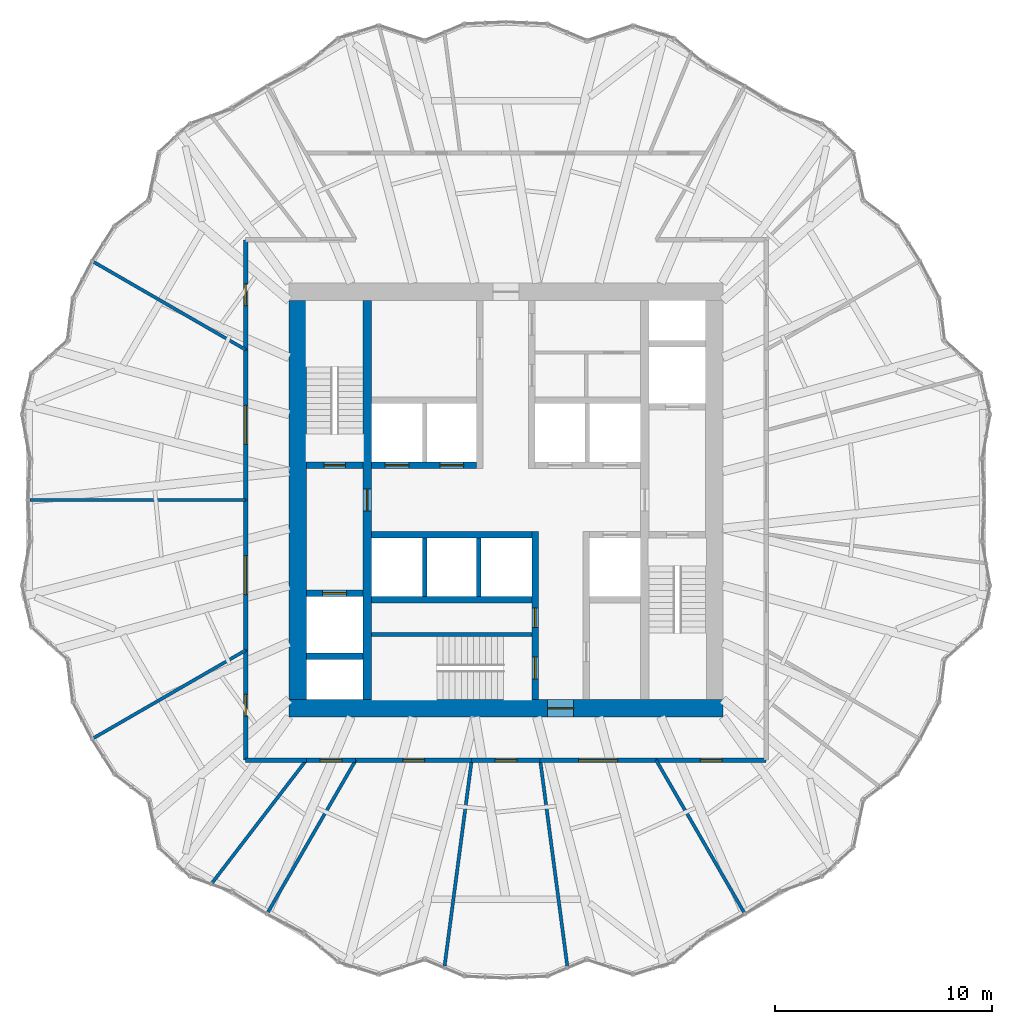
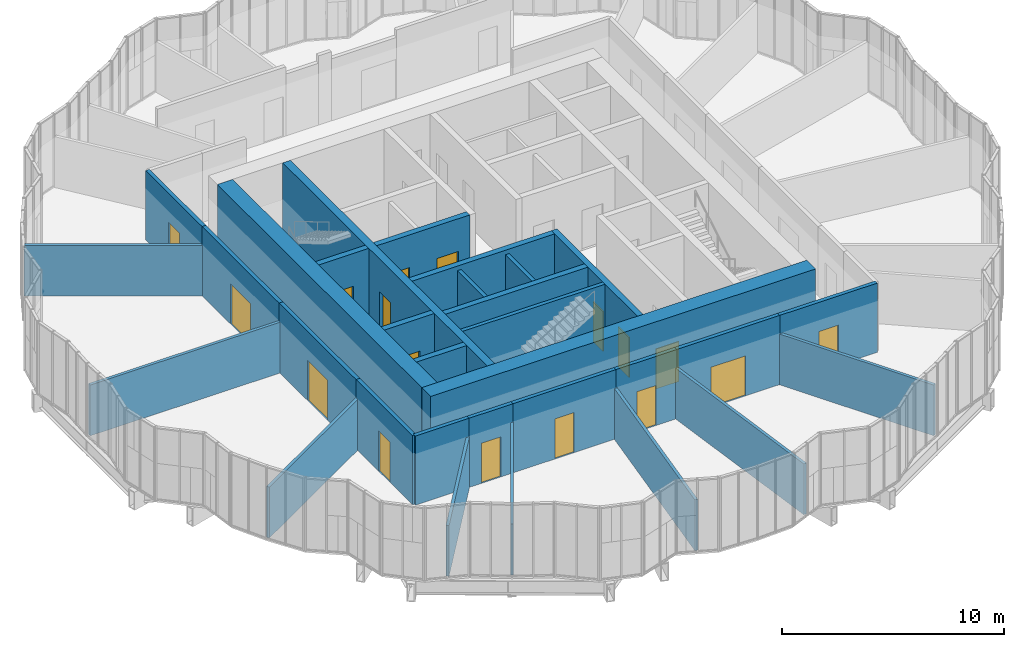
# One storey, part 20 of 23: 31 walls, 17 doors, 17 openings.
"""IFC4 building model written with IfcOpenShell, lengths in metres."""

from ifc_helpers import new_model, si_unit, direction, frame, frame_2d, origin, place, context, subcontext, project, spatial, rectangle, extrude, material, layer, layer_set, type_object, element, fill, save


model = new_model("IFC4")

# Units and contexts
model_context = context("Model", 3, precision=1e-05, world=origin(), true_north=direction((0.0, 1.0)))
body_context = subcontext(model_context, "Body", "Model", "MODEL_VIEW")
ifc_project = project(units=[si_unit("LENGTHUNIT", "METRE"), si_unit("AREAUNIT", "SQUARE_METRE"), si_unit("VOLUMEUNIT", "CUBIC_METRE"), si_unit("PLANEANGLEUNIT", "RADIAN"), si_unit("MASSUNIT", "GRAM", prefix="KILO")], contexts=[model_context])

# Site, building, storey
site_placement = place(None, origin())
site = spatial("IfcSite", under=ifc_project, at=site_placement, CompositionType="ELEMENT")
building_placement = place(site_placement, origin())
building = spatial("IfcBuilding", under=site, at=building_placement, Name="Golbaran Civic Tower", CompositionType="ELEMENT")
storey_placement = place(building_placement, frame((0.0, 0.0, 33.0)))
storey = spatial("IfcBuildingStorey", under=building, at=storey_placement, Name="L07", CompositionType="ELEMENT", Elevation=33.0)

# Wall, opening, door
ifc_material_1 = material(Name="Concrete C50/60", Category="concrete")
ifc_layer_1 = layer(ifc_material_1, 0.39990234375, Name="Concrete C50/60")
ifc_layer_set_1 = layer_set([ifc_layer_1], Name="Concrete C50/60")
wall_type_1 = type_object("IfcWallType", Name="CORE WALL CONCRETE 400", PredefinedType="SOLIDWALL", material=ifc_layer_set_1)
wall_1_placement = place(storey_placement, frame((-6.39990234375, -9.199951171875, 0.0), z_axis=(0.0, 0.0, 1.0), x_axis=(0.0, 1.0, 0.0)))
wall_1 = element("IfcWall", 1, at=wall_1_placement, inside=storey, type_object=wall_type_1, Name="Core wall IW L07", PredefinedType="SOLIDWALL", context=body_context, shape_type="SweptSolid", body=[
    extrude(rectangle(XDim=18.39990234375, YDim=0.39990234375, at=frame_2d((9.199951171875, 0.0))), origin(), (0.0, 0.0, 1.0), 4.0),
])
opening_1_placement = place(wall_1_placement, frame((8.699951171875, 0.0, 0.0)))
opening_1 = element("IfcOpeningElement", 2, at=opening_1_placement, cuts=wall_1, Name="Opening L07.FL1", PredefinedType="OPENING", context=body_context, shape_type="SweptSolid", body=[
    extrude(rectangle(XDim=1.0, YDim=2.199951171875, at=frame_2d((0.5, 1.10009765625))), frame((0.0, 0.2099609375, 0.0), z_axis=(0.0, -1.0, 0.0), x_axis=(1.0, 0.0, 0.0)), (0.0, 0.0, 1.0), 0.419921875),
])
ifc_material_2 = material(Name="Timber door set in steel frame", Category="steel")
door_type_1 = type_object("IfcDoorType", Name="STAIR DOOR 1000x2200", OperationType="SINGLE_SWING_LEFT", PredefinedType="DOOR", material=ifc_material_2)
door_1_placement = place(opening_1_placement, origin())
door_1 = element("IfcDoor", 3, at=door_1_placement, inside=storey, type_object=door_type_1, Name="Fire-fighting lobby FL1 door", OperationType="SINGLE_SWING_LEFT", OverallHeight=2.199951171875, OverallWidth=1.0, PredefinedType="DOOR", context=body_context, shape_type="SweptSolid", body=[
    extrude(rectangle(XDim=1.0, YDim=2.199951171875, at=frame_2d((0.5, 1.10009765625))), frame((0.0, 0.02490234375, 0.0), z_axis=(0.0, -1.0, 0.0), x_axis=(1.0, 0.0, 0.0)), (0.0, 0.0, 1.0), 0.050048828125),
])
fill(opening_1, door_1)

ifc_layer_2 = layer(ifc_material_1, 0.800048828125, Name="Concrete C50/60")
ifc_layer_set_2 = layer_set([ifc_layer_2], Name="Concrete C50/60")
wall_type_2 = type_object("IfcWallType", Name="CORE WALL CONCRETE 800", PredefinedType="SOLIDWALL", material=ifc_layer_set_2)
wall_2_placement = place(storey_placement, frame((10.0, -9.60009765625, 0.0), z_axis=(0.0, 0.0, 1.0), x_axis=(-1.0, 0.0, 0.0)))
wall_2 = element("IfcWall", 4, at=wall_2_placement, inside=storey, type_object=wall_type_2, Name="Core wall CS L07", PredefinedType="SOLIDWALL", context=body_context, shape_type="SweptSolid", body=[
    extrude(rectangle(XDim=20.0, YDim=0.800048828125, at=frame_2d((10.0, 0.0))), origin(), (0.0, 0.0, 1.0), 4.0),
])
opening_2_placement = place(wall_2_placement, frame((6.875, 0.0, 0.0)))
opening_2 = element("IfcOpeningElement", 5, at=opening_2_placement, cuts=wall_2, Name="Opening L07.CS", PredefinedType="OPENING", context=body_context, shape_type="SweptSolid", body=[
    extrude(rectangle(XDim=1.199951171875, YDim=2.199951171875, at=frame_2d((0.60009765625, 1.10009765625))), frame((0.0, 0.409912109375, 0.0), z_axis=(0.0, -1.0, 0.0), x_axis=(1.0, 0.0, 0.0)), (0.0, 0.0, 1.0), 0.820068359375),
])
door_type_2 = type_object("IfcDoorType", Name="CORE DOOR 1200x2200", OperationType="DOUBLE_DOOR_SINGLE_SWING", PredefinedType="DOOR", material=ifc_material_2)
door_2_placement = place(opening_2_placement, origin())
door_2 = element("IfcDoor", 6, at=door_2_placement, inside=storey, type_object=door_type_2, Name="Core door south", OperationType="DOUBLE_DOOR_SINGLE_SWING", OverallHeight=2.199951171875, OverallWidth=1.199951171875, PredefinedType="DOOR", context=body_context, shape_type="SweptSolid", body=[
    extrude(rectangle(XDim=1.199951171875, YDim=2.199951171875, at=frame_2d((0.60009765625, 1.10009765625))), frame((0.0, 0.02490234375, 0.0), z_axis=(0.0, -1.0, 0.0), x_axis=(1.0, 0.0, 0.0)), (0.0, 0.0, 1.0), 0.050048828125),
])
fill(opening_2, door_2)

# Wall
wall_3_placement = place(storey_placement, frame((-9.60009765625, 9.199951171875, 0.0), z_axis=(0.0, 0.0, 1.0), x_axis=(0.0, -1.0, 0.0)))
element("IfcWall", 7, at=wall_3_placement, inside=storey, type_object=wall_type_2, Name="Core wall CW L07", PredefinedType="SOLIDWALL", context=body_context, shape_type="SweptSolid", body=[
    extrude(rectangle(XDim=18.39990234375, YDim=0.800048828125, at=frame_2d((9.199951171875, 0.0))), origin(), (0.0, 0.0, 1.0), 4.0),
])

# Wall, opening, door
ifc_material_3 = material(Name="Gypsum board on steel studs, fire-rated", Category="steel")
ifc_layer_3 = layer(ifc_material_3, 0.199951171875, Name="Gypsum board on steel studs, fire-rated")
ifc_layer_set_3 = layer_set([ifc_layer_3], Name="Gypsum board on steel studs, fire-rated")
wall_type_3 = type_object("IfcWallType", Name="CORRIDOR WALL 200", PredefinedType="PARTITIONING", material=ifc_layer_set_3)
wall_4_placement = place(storey_placement, frame((-12.0, 12.0, 0.0), z_axis=(0.0, 0.0, 1.0), x_axis=(0.0, -1.0, 0.0)))
wall_4 = element("IfcWall", 8, at=wall_4_placement, inside=storey, type_object=wall_type_3, Name="Corridor wall L07", PredefinedType="PARTITIONING", context=body_context, shape_type="SweptSolid", body=[
    extrude(rectangle(XDim=5.07177734375, YDim=0.199951171875, at=frame_2d((2.535888671875, 0.0))), origin(), (0.0, 0.0, 1.0), 3.800048828125),
])
opening_3_placement = place(wall_4_placement, frame((2.035888671875, 0.0, 0.0)))
opening_3 = element("IfcOpeningElement", 9, at=opening_3_placement, cuts=wall_4, Name="Opening L07.11", PredefinedType="OPENING", context=body_context, shape_type="SweptSolid", body=[
    extrude(rectangle(XDim=1.0, YDim=2.199951171875, at=frame_2d((0.5, 1.10009765625))), frame((0.0, 0.10986328125, 0.0), z_axis=(0.0, -1.0, 0.0), x_axis=(1.0, 0.0, 0.0)), (0.0, 0.0, 1.0), 0.219970703125),
])
door_type_3 = type_object("IfcDoorType", Name="OFFICE DOOR 1000x2200", OperationType="SINGLE_SWING_LEFT", PredefinedType="DOOR", material=ifc_material_2)
door_3_placement = place(opening_3_placement, origin())
door_3 = element("IfcDoor", 10, at=door_3_placement, inside=storey, type_object=door_type_3, Name="Print and Copy Room door L07", OperationType="SINGLE_SWING_RIGHT", OverallHeight=2.199951171875, OverallWidth=1.0, PredefinedType="DOOR", context=body_context, shape_type="SweptSolid", body=[
    extrude(rectangle(XDim=1.0, YDim=2.199951171875, at=frame_2d((0.5, 1.10009765625))), frame((0.0, 0.02490234375, 0.0), z_axis=(0.0, -1.0, 0.0), x_axis=(1.0, 0.0, 0.0)), (0.0, 0.0, 1.0), 0.050048828125),
])
fill(opening_3, door_3)

wall_5_placement = place(storey_placement, frame((-12.0, 6.92822265625, 0.0), z_axis=(0.0, 0.0, 1.0), x_axis=(0.0, -1.0, 0.0)))
wall_5 = element("IfcWall", 11, at=wall_5_placement, inside=storey, type_object=wall_type_3, Name="Corridor wall L07", PredefinedType="PARTITIONING", context=body_context, shape_type="SweptSolid", body=[
    extrude(rectangle(XDim=6.92822265625, YDim=0.199951171875, at=frame_2d((3.464111328125, 0.0))), origin(), (0.0, 0.0, 1.0), 3.800048828125),
])
opening_4_placement = place(wall_5_placement, frame((2.564208984375, 0.0, 0.0)))
opening_4 = element("IfcOpeningElement", 12, at=opening_4_placement, cuts=wall_5, Name="Opening L07.12", PredefinedType="OPENING", context=body_context, shape_type="SweptSolid", body=[
    extrude(rectangle(XDim=1.800048828125, YDim=2.199951171875, at=frame_2d((0.89990234375, 1.10009765625))), frame((0.0, 0.10986328125, 0.0), z_axis=(0.0, -1.0, 0.0), x_axis=(1.0, 0.0, 0.0)), (0.0, 0.0, 1.0), 0.219970703125),
])
door_type_4 = type_object("IfcDoorType", Name="OFFICE DOUBLE DOOR 1800x2200", OperationType="DOUBLE_DOOR_SINGLE_SWING", PredefinedType="DOOR", material=ifc_material_2)
door_4_placement = place(opening_4_placement, origin())
door_4 = element("IfcDoor", 13, at=door_4_placement, inside=storey, type_object=door_type_4, Name="Registry Office door L07", OperationType="DOUBLE_DOOR_SINGLE_SWING", OverallHeight=2.199951171875, OverallWidth=1.800048828125, PredefinedType="DOOR", context=body_context, shape_type="SweptSolid", body=[
    extrude(rectangle(XDim=1.800048828125, YDim=2.199951171875, at=frame_2d((0.89990234375, 1.10009765625))), frame((0.0, 0.02490234375, 0.0), z_axis=(0.0, -1.0, 0.0), x_axis=(1.0, 0.0, 0.0)), (0.0, 0.0, 1.0), 0.050048828125),
])
fill(opening_4, door_4)

wall_6_placement = place(storey_placement, frame((-12.0, 0.0, 0.0), z_axis=(0.0, 0.0, 1.0), x_axis=(0.0, -1.0, 0.0)))
wall_6 = element("IfcWall", 14, at=wall_6_placement, inside=storey, type_object=wall_type_3, Name="Corridor wall L07", PredefinedType="PARTITIONING", context=body_context, shape_type="SweptSolid", body=[
    extrude(rectangle(XDim=6.92822265625, YDim=0.199951171875, at=frame_2d((3.464111328125, 0.0))), origin(), (0.0, 0.0, 1.0), 3.800048828125),
])
opening_5_placement = place(wall_6_placement, frame((2.564208984375, 0.0, 0.0)))
opening_5 = element("IfcOpeningElement", 15, at=opening_5_placement, cuts=wall_6, Name="Opening L07.13", PredefinedType="OPENING", context=body_context, shape_type="SweptSolid", body=[
    extrude(rectangle(XDim=1.800048828125, YDim=2.199951171875, at=frame_2d((0.89990234375, 1.10009765625))), frame((0.0, 0.10986328125, 0.0), z_axis=(0.0, -1.0, 0.0), x_axis=(1.0, 0.0, 0.0)), (0.0, 0.0, 1.0), 0.219970703125),
])
door_5_placement = place(opening_5_placement, origin())
door_5 = element("IfcDoor", 16, at=door_5_placement, inside=storey, type_object=door_type_4, Name="Registry Office door L07", OperationType="DOUBLE_DOOR_SINGLE_SWING", OverallHeight=2.199951171875, OverallWidth=1.800048828125, PredefinedType="DOOR", context=body_context, shape_type="SweptSolid", body=[
    extrude(rectangle(XDim=1.800048828125, YDim=2.199951171875, at=frame_2d((0.89990234375, 1.10009765625))), frame((0.0, 0.02490234375, 0.0), z_axis=(0.0, -1.0, 0.0), x_axis=(1.0, 0.0, 0.0)), (0.0, 0.0, 1.0), 0.050048828125),
])
fill(opening_5, door_5)

wall_7_placement = place(storey_placement, frame((-12.0, -6.92822265625, 0.0), z_axis=(0.0, 0.0, 1.0), x_axis=(0.0, -1.0, 0.0)))
wall_7 = element("IfcWall", 17, at=wall_7_placement, inside=storey, type_object=wall_type_3, Name="Corridor wall L07", PredefinedType="PARTITIONING", context=body_context, shape_type="SweptSolid", body=[
    extrude(rectangle(XDim=5.07177734375, YDim=0.199951171875, at=frame_2d((2.535888671875, 0.0))), origin(), (0.0, 0.0, 1.0), 3.800048828125),
])
opening_6_placement = place(wall_7_placement, frame((2.035888671875, 0.0, 0.0)))
opening_6 = element("IfcOpeningElement", 18, at=opening_6_placement, cuts=wall_7, Name="Opening L07.14", PredefinedType="OPENING", context=body_context, shape_type="SweptSolid", body=[
    extrude(rectangle(XDim=1.0, YDim=2.199951171875, at=frame_2d((0.5, 1.10009765625))), frame((0.0, 0.10986328125, 0.0), z_axis=(0.0, -1.0, 0.0), x_axis=(1.0, 0.0, 0.0)), (0.0, 0.0, 1.0), 0.219970703125),
])
door_6_placement = place(opening_6_placement, origin())
door_6 = element("IfcDoor", 19, at=door_6_placement, inside=storey, type_object=door_type_3, Name="File Room door L07", OperationType="SINGLE_SWING_RIGHT", OverallHeight=2.199951171875, OverallWidth=1.0, PredefinedType="DOOR", context=body_context, shape_type="SweptSolid", body=[
    extrude(rectangle(XDim=1.0, YDim=2.199951171875, at=frame_2d((0.5, 1.10009765625))), frame((0.0, 0.02490234375, 0.0), z_axis=(0.0, -1.0, 0.0), x_axis=(1.0, 0.0, 0.0)), (0.0, 0.0, 1.0), 0.050048828125),
])
fill(opening_6, door_6)

# Wall
wall_8_placement = place(storey_placement, frame((-12.0, -12.0, 0.0), z_axis=(0.0, 0.0, 1.0), x_axis=(1.0, 0.0, 0.0)))
element("IfcWall", 20, at=wall_8_placement, inside=storey, type_object=wall_type_3, Name="Corridor wall L07", PredefinedType="PARTITIONING", context=body_context, shape_type="SweptSolid", body=[
    extrude(rectangle(XDim=2.7919921875, YDim=0.199951171875, at=frame_2d((1.39599609375, 0.0))), origin(), (0.0, 0.0, 1.0), 3.800048828125),
])

# Wall, opening, door
wall_9_placement = place(storey_placement, frame((-9.2080078125, -12.0, 0.0), z_axis=(0.0, 0.0, 1.0), x_axis=(1.0, 0.0, 0.0)))
wall_9 = element("IfcWall", 21, at=wall_9_placement, inside=storey, type_object=wall_type_3, Name="Corridor wall L07", PredefinedType="PARTITIONING", context=body_context, shape_type="SweptSolid", body=[
    extrude(rectangle(XDim=2.27978515625, YDim=0.199951171875, at=frame_2d((1.139892578125, 0.0))), origin(), (0.0, 0.0, 1.0), 3.800048828125),
])
opening_7_placement = place(wall_9_placement, frame((0.639892578125, 0.0, 0.0)))
opening_7 = element("IfcOpeningElement", 22, at=opening_7_placement, cuts=wall_9, Name="Opening L07.15", PredefinedType="OPENING", context=body_context, shape_type="SweptSolid", body=[
    extrude(rectangle(XDim=1.0, YDim=2.199951171875, at=frame_2d((0.5, 1.10009765625))), frame((0.0, 0.10986328125, 0.0), z_axis=(0.0, -1.0, 0.0), x_axis=(1.0, 0.0, 0.0)), (0.0, 0.0, 1.0), 0.219970703125),
])
door_7_placement = place(opening_7_placement, origin())
door_7 = element("IfcDoor", 23, at=door_7_placement, inside=storey, type_object=door_type_3, Name="Store door L07", OperationType="SINGLE_SWING_LEFT", OverallHeight=2.199951171875, OverallWidth=1.0, PredefinedType="DOOR", context=body_context, shape_type="SweptSolid", body=[
    extrude(rectangle(XDim=1.0, YDim=2.199951171875, at=frame_2d((0.5, 1.10009765625))), frame((0.0, 0.02490234375, 0.0), z_axis=(0.0, -1.0, 0.0), x_axis=(1.0, 0.0, 0.0)), (0.0, 0.0, 1.0), 0.050048828125),
])
fill(opening_7, door_7)

wall_10_placement = place(storey_placement, frame((-6.92822265625, -12.0, 0.0), z_axis=(0.0, 0.0, 1.0), x_axis=(1.0, 0.0, 0.0)))
wall_10 = element("IfcWall", 24, at=wall_10_placement, inside=storey, type_object=wall_type_3, Name="Corridor wall L07", PredefinedType="PARTITIONING", context=body_context, shape_type="SweptSolid", body=[
    extrude(rectangle(XDim=5.348388671875, YDim=0.199951171875, at=frame_2d((2.67431640625, 0.0))), origin(), (0.0, 0.0, 1.0), 3.800048828125),
])
opening_8_placement = place(wall_10_placement, frame((2.174072265625, 0.0, 0.0)))
opening_8 = element("IfcOpeningElement", 25, at=opening_8_placement, cuts=wall_10, Name="Opening L07.16", PredefinedType="OPENING", context=body_context, shape_type="SweptSolid", body=[
    extrude(rectangle(XDim=1.0, YDim=2.199951171875, at=frame_2d((0.5, 1.10009765625))), frame((0.0, 0.10986328125, 0.0), z_axis=(0.0, -1.0, 0.0), x_axis=(1.0, 0.0, 0.0)), (0.0, 0.0, 1.0), 0.219970703125),
])
door_8_placement = place(opening_8_placement, origin())
door_8 = element("IfcDoor", 26, at=door_8_placement, inside=storey, type_object=door_type_3, Name="Project Room door L07", OperationType="SINGLE_SWING_LEFT", OverallHeight=2.199951171875, OverallWidth=1.0, PredefinedType="DOOR", context=body_context, shape_type="SweptSolid", body=[
    extrude(rectangle(XDim=1.0, YDim=2.199951171875, at=frame_2d((0.5, 1.10009765625))), frame((0.0, 0.02490234375, 0.0), z_axis=(0.0, -1.0, 0.0), x_axis=(1.0, 0.0, 0.0)), (0.0, 0.0, 1.0), 0.050048828125),
])
fill(opening_8, door_8)

wall_11_placement = place(storey_placement, frame((-1.579833984375, -12.0, 0.0), z_axis=(0.0, 0.0, 1.0), x_axis=(1.0, 0.0, 0.0)))
wall_11 = element("IfcWall", 27, at=wall_11_placement, inside=storey, type_object=wall_type_3, Name="Corridor wall L07", PredefinedType="PARTITIONING", context=body_context, shape_type="SweptSolid", body=[
    extrude(rectangle(XDim=3.15966796875, YDim=0.199951171875, at=frame_2d((1.579833984375, 0.0))), origin(), (0.0, 0.0, 1.0), 3.800048828125),
])
opening_9_placement = place(wall_11_placement, frame((1.079833984375, 0.0, 0.0)))
opening_9 = element("IfcOpeningElement", 28, at=opening_9_placement, cuts=wall_11, Name="Opening L07.17", PredefinedType="OPENING", context=body_context, shape_type="SweptSolid", body=[
    extrude(rectangle(XDim=1.0, YDim=2.199951171875, at=frame_2d((0.5, 1.10009765625))), frame((0.0, 0.10986328125, 0.0), z_axis=(0.0, -1.0, 0.0), x_axis=(1.0, 0.0, 0.0)), (0.0, 0.0, 1.0), 0.219970703125),
])
door_9_placement = place(opening_9_placement, origin())
door_9 = element("IfcDoor", 29, at=door_9_placement, inside=storey, type_object=door_type_3, Name="Project Room door L07", OperationType="SINGLE_SWING_LEFT", OverallHeight=2.199951171875, OverallWidth=1.0, PredefinedType="DOOR", context=body_context, shape_type="SweptSolid", body=[
    extrude(rectangle(XDim=1.0, YDim=2.199951171875, at=frame_2d((0.5, 1.10009765625))), frame((0.0, 0.02490234375, 0.0), z_axis=(0.0, -1.0, 0.0), x_axis=(1.0, 0.0, 0.0)), (0.0, 0.0, 1.0), 0.050048828125),
])
fill(opening_9, door_9)

wall_12_placement = place(storey_placement, frame((1.579833984375, -12.0, 0.0), z_axis=(0.0, 0.0, 1.0), x_axis=(1.0, 0.0, 0.0)))
wall_12 = element("IfcWall", 30, at=wall_12_placement, inside=storey, type_object=wall_type_3, Name="Corridor wall L07", PredefinedType="PARTITIONING", context=body_context, shape_type="SweptSolid", body=[
    extrude(rectangle(XDim=5.348388671875, YDim=0.199951171875, at=frame_2d((2.67431640625, 0.0))), origin(), (0.0, 0.0, 1.0), 3.800048828125),
])
opening_10_placement = place(wall_12_placement, frame((1.774169921875, 0.0, 0.0)))
opening_10 = element("IfcOpeningElement", 31, at=opening_10_placement, cuts=wall_12, Name="Opening L07.18", PredefinedType="OPENING", context=body_context, shape_type="SweptSolid", body=[
    extrude(rectangle(XDim=1.800048828125, YDim=2.199951171875, at=frame_2d((0.89990234375, 1.10009765625))), frame((0.0, 0.10986328125, 0.0), z_axis=(0.0, -1.0, 0.0), x_axis=(1.0, 0.0, 0.0)), (0.0, 0.0, 1.0), 0.219970703125),
])
door_10_placement = place(opening_10_placement, origin())
door_10 = element("IfcDoor", 32, at=door_10_placement, inside=storey, type_object=door_type_4, Name="Registry Office door L07", OperationType="DOUBLE_DOOR_SINGLE_SWING", OverallHeight=2.199951171875, OverallWidth=1.800048828125, PredefinedType="DOOR", context=body_context, shape_type="SweptSolid", body=[
    extrude(rectangle(XDim=1.800048828125, YDim=2.199951171875, at=frame_2d((0.89990234375, 1.10009765625))), frame((0.0, 0.02490234375, 0.0), z_axis=(0.0, -1.0, 0.0), x_axis=(1.0, 0.0, 0.0)), (0.0, 0.0, 1.0), 0.050048828125),
])
fill(opening_10, door_10)

wall_13_placement = place(storey_placement, frame((6.92822265625, -12.0, 0.0), z_axis=(0.0, 0.0, 1.0), x_axis=(1.0, 0.0, 0.0)))
wall_13 = element("IfcWall", 33, at=wall_13_placement, inside=storey, type_object=wall_type_3, Name="Corridor wall L07", PredefinedType="PARTITIONING", context=body_context, shape_type="SweptSolid", body=[
    extrude(rectangle(XDim=5.07177734375, YDim=0.199951171875, at=frame_2d((2.535888671875, 0.0))), origin(), (0.0, 0.0, 1.0), 3.800048828125),
])
opening_11_placement = place(wall_13_placement, frame((2.035888671875, 0.0, 0.0)))
opening_11 = element("IfcOpeningElement", 34, at=opening_11_placement, cuts=wall_13, Name="Opening L07.19", PredefinedType="OPENING", context=body_context, shape_type="SweptSolid", body=[
    extrude(rectangle(XDim=1.0, YDim=2.199951171875, at=frame_2d((0.5, 1.10009765625))), frame((0.0, 0.10986328125, 0.0), z_axis=(0.0, -1.0, 0.0), x_axis=(1.0, 0.0, 0.0)), (0.0, 0.0, 1.0), 0.219970703125),
])
door_11_placement = place(opening_11_placement, origin())
door_11 = element("IfcDoor", 35, at=door_11_placement, inside=storey, type_object=door_type_3, Name="Print and Copy Room door L07", OperationType="SINGLE_SWING_LEFT", OverallHeight=2.199951171875, OverallWidth=1.0, PredefinedType="DOOR", context=body_context, shape_type="SweptSolid", body=[
    extrude(rectangle(XDim=1.0, YDim=2.199951171875, at=frame_2d((0.5, 1.10009765625))), frame((0.0, 0.02490234375, 0.0), z_axis=(0.0, -1.0, 0.0), x_axis=(1.0, 0.0, 0.0)), (0.0, 0.0, 1.0), 0.050048828125),
])
fill(opening_11, door_11)

# Walls
ifc_material_4 = material(Name="Concrete block", Category="concrete")
ifc_layer_4 = layer(ifc_material_4, 0.199951171875, Name="Concrete block")
ifc_layer_set_4 = layer_set([ifc_layer_4], Name="Concrete block")
wall_type_4 = type_object("IfcWallType", Name="LIFT SEPARATOR WALL 200", PredefinedType="SOLIDWALL", material=ifc_layer_set_4)
for number, where, z_axis, x_axis, name in (
    (36, (-3.75, -1.75, 0.0), (0.0, 0.0, 1.0), (0.0, -1.0, 0.0), "Core partition SSW L07"),
    (37, (-1.25, -1.75, 0.0), (0.0, 0.0, 1.0), (0.0, -1.0, 0.0), "Core partition SSM L07"),
):
    element("IfcWall", number, at=place(storey_placement, frame(where, z_axis=z_axis, x_axis=x_axis)), inside=storey, type_object=wall_type_4, Name=name, PredefinedType="SOLIDWALL", context=body_context, shape_type="SweptSolid", body=[
        extrude(rectangle(XDim=2.699951171875, YDim=0.199951171875, at=frame_2d((1.35009765625, 0.0))), origin(), (0.0, 0.0, 1.0), 3.75),
    ])
ifc_material_5 = material(Name="Gypsum board on steel studs", Category="steel")
ifc_layer_5 = layer(ifc_material_5, 0.14990234375, Name="Gypsum board on steel studs")
ifc_layer_set_5 = layer_set([ifc_layer_5], Name="Gypsum board on steel studs")
wall_type_5 = type_object("IfcWallType", Name="OFFICE PARTITION 150", PredefinedType="PARTITIONING", material=ifc_layer_set_5)
wall_14_placement = place(storey_placement, frame((-12.0, 6.92822265625, 0.0), z_axis=(0.0, 0.0, 1.0), x_axis=(-0.866020891966, 0.500007814618, 0.0)))
element("IfcWall", 38, at=wall_14_placement, inside=storey, type_object=wall_type_5, Name="Partition 150 L07", PredefinedType="PARTITIONING", context=body_context, shape_type="SweptSolid", body=[
    extrude(rectangle(XDim=8.096923828125, YDim=0.14990234375, at=frame_2d((4.04833984375, 0.0))), origin(), (0.0, 0.0, 1.0), 2.7900390625),
])
wall_15_placement = place(storey_placement, frame((-12.0, 0.0, 0.0), z_axis=(0.0, 0.0, 1.0), x_axis=(-1.0, 0.0, 0.0)))
element("IfcWall", 39, at=wall_15_placement, inside=storey, type_object=wall_type_5, Name="Partition 180 L07", PredefinedType="PARTITIONING", context=body_context, shape_type="SweptSolid", body=[
    extrude(rectangle(XDim=9.95361328125, YDim=0.14990234375, at=frame_2d((4.976806640625, 0.0))), origin(), (0.0, 0.0, 1.0), 2.7900390625),
])
wall_16_placement = place(storey_placement, frame((-12.0, -6.92822265625, 0.0), z_axis=(0.0, 0.0, 1.0), x_axis=(-0.866020891966, -0.500007814618, 0.0)))
element("IfcWall", 40, at=wall_16_placement, inside=storey, type_object=wall_type_5, Name="Partition 210 L07", PredefinedType="PARTITIONING", context=body_context, shape_type="SweptSolid", body=[
    extrude(rectangle(XDim=8.096923828125, YDim=0.14990234375, at=frame_2d((4.04833984375, 0.0))), origin(), (0.0, 0.0, 1.0), 2.7900390625),
])
wall_17_placement = place(storey_placement, frame((-9.2080078125, -12.0, 0.0), z_axis=(0.0, 0.0, 1.0), x_axis=(-0.608751461293, -0.793360988689, 0.0)))
element("IfcWall", 41, at=wall_17_placement, inside=storey, type_object=wall_type_5, Name="Partition 232.5 L07", PredefinedType="PARTITIONING", context=body_context, shape_type="SweptSolid", body=[
    extrude(rectangle(XDim=7.1123046875, YDim=0.14990234375, at=frame_2d((3.55615234375, 0.0))), origin(), (0.0, 0.0, 1.0), 2.7900390625),
])
wall_18_placement = place(storey_placement, frame((-6.92822265625, -12.0, 0.0), z_axis=(0.0, 0.0, 1.0), x_axis=(-0.500007814618, -0.866020891966, 0.0)))
element("IfcWall", 42, at=wall_18_placement, inside=storey, type_object=wall_type_5, Name="Partition 240 L07", PredefinedType="PARTITIONING", context=body_context, shape_type="SweptSolid", body=[
    extrude(rectangle(XDim=8.096923828125, YDim=0.14990234375, at=frame_2d((4.04833984375, 0.0))), origin(), (0.0, 0.0, 1.0), 2.7900390625),
])
for number, where, z_axis, x_axis, name in (
    (43, (-1.579833984375, -12.0, 0.0), (0.0, 0.0, 1.0), (-0.130533729477, -0.991443869046, 0.0), "Partition 262.5 L07"),
    (44, (1.579833984375, -12.0, 0.0), (0.0, 0.0, 1.0), (0.130533729477, -0.991443869046, 0.0), "Partition 277.5 L07"),
):
    element("IfcWall", number, at=place(storey_placement, frame(where, z_axis=z_axis, x_axis=x_axis)), inside=storey, type_object=wall_type_5, Name=name, PredefinedType="PARTITIONING", context=body_context, shape_type="SweptSolid", body=[
        extrude(rectangle(XDim=9.566650390625, YDim=0.14990234375, at=frame_2d((4.783203125, 0.0))), origin(), (0.0, 0.0, 1.0), 2.7900390625),
    ])
wall_19_placement = place(storey_placement, frame((6.92822265625, -12.0, 0.0), z_axis=(0.0, 0.0, 1.0), x_axis=(0.500007814618, -0.866020891966, 0.0)))
element("IfcWall", 45, at=wall_19_placement, inside=storey, type_object=wall_type_5, Name="Partition 300 L07", PredefinedType="PARTITIONING", context=body_context, shape_type="SweptSolid", body=[
    extrude(rectangle(XDim=8.096923828125, YDim=0.14990234375, at=frame_2d((4.04833984375, 0.0))), origin(), (0.0, 0.0, 1.0), 2.7900390625),
])
ifc_layer_6 = layer(ifc_material_1, 0.199951171875, Name="Concrete C50/60")
ifc_layer_set_6 = layer_set([ifc_layer_6], Name="Concrete C50/60")
wall_type_6 = type_object("IfcWallType", Name="SHAFT WALL CONCRETE 200", PredefinedType="SOLIDWALL", material=ifc_layer_set_6)
wall_20_placement = place(storey_placement, frame((-6.199951171875, -6.199951171875, 0.0), z_axis=(0.0, 0.0, 1.0), x_axis=(1.0, 0.0, 0.0)))
element("IfcWall", 46, at=wall_20_placement, inside=storey, type_object=wall_type_6, Name="Core wall S3N L07", PredefinedType="SOLIDWALL", context=body_context, shape_type="SweptSolid", body=[
    extrude(rectangle(XDim=7.39990234375, YDim=0.199951171875, at=frame_2d((3.699951171875, 0.0))), origin(), (0.0, 0.0, 1.0), 4.0),
])

# Wall, openings, doors
ifc_layer_7 = layer(ifc_material_1, 0.300048828125, Name="Concrete C50/60")
ifc_layer_set_7 = layer_set([ifc_layer_7], Name="Concrete C50/60")
wall_type_7 = type_object("IfcWallType", Name="SHAFT WALL CONCRETE 300", PredefinedType="SOLIDWALL", material=ifc_layer_set_7)
wall_21_placement = place(storey_placement, frame((-6.199951171875, 1.60009765625, 0.0), z_axis=(0.0, 0.0, 1.0), x_axis=(1.0, 0.0, 0.0)))
wall_21 = element("IfcWall", 47, at=wall_21_placement, inside=storey, type_object=wall_type_7, Name="Core wall FNW L07", PredefinedType="SOLIDWALL", context=body_context, shape_type="SweptSolid", body=[
    extrude(rectangle(XDim=4.849853515625, YDim=0.300048828125, at=frame_2d((2.4248046875, 0.0))), origin(), (0.0, 0.0, 1.0), 4.0),
])
opening_12_placement = place(wall_21_placement, frame((0.625, 0.0, 0.0)))
opening_12 = element("IfcOpeningElement", 48, at=opening_12_placement, cuts=wall_21, Name="Opening L07.LD-Z1L", PredefinedType="OPENING", context=body_context, shape_type="SweptSolid", body=[
    extrude(rectangle(XDim=1.10009765625, YDim=2.199951171875, at=frame_2d((0.550048828125, 1.10009765625))), frame((0.0, 0.159912109375, 0.0), z_axis=(0.0, -1.0, 0.0), x_axis=(1.0, 0.0, 0.0)), (0.0, 0.0, 1.0), 0.320068359375),
])
opening_13_placement = place(wall_21_placement, frame((3.14990234375, 0.0, 0.0)))
opening_13 = element("IfcOpeningElement", 49, at=opening_13_placement, cuts=wall_21, Name="Opening L07.LD-Z2L", PredefinedType="OPENING", context=body_context, shape_type="SweptSolid", body=[
    extrude(rectangle(XDim=1.10009765625, YDim=2.199951171875, at=frame_2d((0.550048828125, 1.10009765625))), frame((0.0, 0.159912109375, 0.0), z_axis=(0.0, -1.0, 0.0), x_axis=(1.0, 0.0, 0.0)), (0.0, 0.0, 1.0), 0.320068359375),
])
ifc_material_6 = material(Name="Stainless steel", Category="steel")
door_type_5 = type_object("IfcDoorType", Name="LIFT LANDING DOOR 1100x2200", OperationType="SLIDING_TO_LEFT", PredefinedType="DOOR", material=ifc_material_6)
door_12_placement = place(opening_12_placement, origin())
door_12 = element("IfcDoor", 50, at=door_12_placement, inside=storey, type_object=door_type_5, Name="Lift landing door Z1L", OperationType="SLIDING_TO_LEFT", OverallHeight=2.199951171875, OverallWidth=1.10009765625, PredefinedType="DOOR", context=body_context, shape_type="SweptSolid", body=[
    extrude(rectangle(XDim=1.10009765625, YDim=2.199951171875, at=frame_2d((0.550048828125, 1.10009765625))), frame((0.0, 0.02490234375, 0.0), z_axis=(0.0, -1.0, 0.0), x_axis=(1.0, 0.0, 0.0)), (0.0, 0.0, 1.0), 0.050048828125),
])
fill(opening_12, door_12)
door_13_placement = place(opening_13_placement, origin())
door_13 = element("IfcDoor", 51, at=door_13_placement, inside=storey, type_object=door_type_5, Name="Lift landing door Z2L", OperationType="SLIDING_TO_LEFT", OverallHeight=2.199951171875, OverallWidth=1.10009765625, PredefinedType="DOOR", context=body_context, shape_type="SweptSolid", body=[
    extrude(rectangle(XDim=1.10009765625, YDim=2.199951171875, at=frame_2d((0.550048828125, 1.10009765625))), frame((0.0, 0.02490234375, 0.0), z_axis=(0.0, -1.0, 0.0), x_axis=(1.0, 0.0, 0.0)), (0.0, 0.0, 1.0), 0.050048828125),
])
fill(opening_13, door_13)

# Walls
for number, where, z_axis, x_axis, name in (
    (52, (-6.199951171875, -1.60009765625, 0.0), (0.0, 0.0, 1.0), (1.0, 0.0, 0.0), "Core wall FSW L07"),
    (53, (-6.199951171875, -4.60009765625, 0.0), (0.0, 0.0, 1.0), (1.0, 0.0, 0.0), "Core wall BSW L07"),
):
    element("IfcWall", number, at=place(storey_placement, frame(where, z_axis=z_axis, x_axis=x_axis)), inside=storey, type_object=wall_type_7, Name=name, PredefinedType="SOLIDWALL", context=body_context, shape_type="SweptSolid", body=[
        extrude(rectangle(XDim=7.39990234375, YDim=0.300048828125, at=frame_2d((3.699951171875, 0.0))), origin(), (0.0, 0.0, 1.0), 4.0),
    ])

# Wall, openings, doors
wall_22_placement = place(storey_placement, frame((1.35009765625, -1.449951171875, 0.0), z_axis=(0.0, 0.0, 1.0), x_axis=(0.0, -1.0, 0.0)))
wall_22 = element("IfcWall", 54, at=wall_22_placement, inside=storey, type_object=wall_type_7, Name="Core wall PSW L07", PredefinedType="SOLIDWALL", context=body_context, shape_type="SweptSolid", body=[
    extrude(rectangle(XDim=7.75, YDim=0.300048828125, at=frame_2d((3.875, 0.0))), origin(), (0.0, 0.0, 1.0), 4.0),
])
opening_14_placement = place(wall_22_placement, frame((5.800048828125, 0.0, 0.0)))
opening_14 = element("IfcOpeningElement", 55, at=opening_14_placement, cuts=wall_22, Name="Opening L07.S3", PredefinedType="OPENING", context=body_context, shape_type="SweptSolid", body=[
    extrude(rectangle(XDim=1.0, YDim=2.199951171875, at=frame_2d((0.5, 1.10009765625))), frame((0.0, 0.159912109375, 0.0), z_axis=(0.0, -1.0, 0.0), x_axis=(1.0, 0.0, 0.0)), (0.0, 0.0, 1.0), 0.320068359375),
])
opening_15_placement = place(wall_22_placement, frame((3.52490234375, 0.0, 0.0)))
opening_15 = element("IfcOpeningElement", 56, at=opening_15_placement, cuts=wall_22, Name="Opening L07.RE", PredefinedType="OPENING", context=body_context, shape_type="SweptSolid", body=[
    extrude(rectangle(XDim=0.89990234375, YDim=2.199951171875, at=frame_2d((0.449951171875, 1.10009765625))), frame((0.0, 0.159912109375, 0.0), z_axis=(0.0, -1.0, 0.0), x_axis=(1.0, 0.0, 0.0)), (0.0, 0.0, 1.0), 0.320068359375),
])
door_type_6 = type_object("IfcDoorType", Name="RISER DOOR 900x2200", OperationType="SINGLE_SWING_LEFT", PredefinedType="DOOR", material=ifc_material_2)
door_14_placement = place(opening_15_placement, origin())
door_14 = element("IfcDoor", 57, at=door_14_placement, inside=storey, type_object=door_type_6, Name="Electrical riser door", OperationType="SINGLE_SWING_RIGHT", OverallHeight=2.199951171875, OverallWidth=0.89990234375, PredefinedType="DOOR", context=body_context, shape_type="SweptSolid", body=[
    extrude(rectangle(XDim=0.89990234375, YDim=2.199951171875, at=frame_2d((0.449951171875, 1.10009765625))), frame((0.0, 0.02490234375, 0.0), z_axis=(0.0, -1.0, 0.0), x_axis=(1.0, 0.0, 0.0)), (0.0, 0.0, 1.0), 0.050048828125),
])
fill(opening_15, door_14)
door_15_placement = place(opening_14_placement, origin())
door_15 = element("IfcDoor", 58, at=door_15_placement, inside=storey, type_object=door_type_1, Name="Stair S3 door", OperationType="SINGLE_SWING_RIGHT", OverallHeight=2.199951171875, OverallWidth=1.0, PredefinedType="DOOR", context=body_context, shape_type="SweptSolid", body=[
    extrude(rectangle(XDim=1.0, YDim=2.199951171875, at=frame_2d((0.5, 1.10009765625))), frame((0.0, 0.02490234375, 0.0), z_axis=(0.0, -1.0, 0.0), x_axis=(1.0, 0.0, 0.0)), (0.0, 0.0, 1.0), 0.050048828125),
])
fill(opening_14, door_15)

# Wall, opening, door
wall_23_placement = place(storey_placement, frame((-9.199951171875, 1.60009765625, 0.0), z_axis=(0.0, 0.0, 1.0), x_axis=(1.0, 0.0, 0.0)))
wall_23 = element("IfcWall", 59, at=wall_23_placement, inside=storey, type_object=wall_type_7, Name="Core wall XW1 L07", PredefinedType="SOLIDWALL", context=body_context, shape_type="SweptSolid", body=[
    extrude(rectangle(XDim=2.599853515625, YDim=0.300048828125, at=frame_2d((1.2998046875, 0.0))), origin(), (0.0, 0.0, 1.0), 4.0),
])
opening_16_placement = place(wall_23_placement, frame((0.800048828125, 0.0, 0.0)))
opening_16 = element("IfcOpeningElement", 60, at=opening_16_placement, cuts=wall_23, Name="Opening L07.S1", PredefinedType="OPENING", context=body_context, shape_type="SweptSolid", body=[
    extrude(rectangle(XDim=1.0, YDim=2.199951171875, at=frame_2d((0.5, 1.10009765625))), frame((0.0, 0.159912109375, 0.0), z_axis=(0.0, -1.0, 0.0), x_axis=(1.0, 0.0, 0.0)), (0.0, 0.0, 1.0), 0.320068359375),
])
door_16_placement = place(opening_16_placement, origin())
door_16 = element("IfcDoor", 61, at=door_16_placement, inside=storey, type_object=door_type_1, Name="Stair S1 door", OperationType="SINGLE_SWING_LEFT", OverallHeight=2.199951171875, OverallWidth=1.0, PredefinedType="DOOR", context=body_context, shape_type="SweptSolid", body=[
    extrude(rectangle(XDim=1.0, YDim=2.199951171875, at=frame_2d((0.5, 1.10009765625))), frame((0.0, 0.02490234375, 0.0), z_axis=(0.0, -1.0, 0.0), x_axis=(1.0, 0.0, 0.0)), (0.0, 0.0, 1.0), 0.050048828125),
])
fill(opening_16, door_16)

wall_24_placement = place(storey_placement, frame((-9.199951171875, -4.300048828125, 0.0), z_axis=(0.0, 0.0, 1.0), x_axis=(1.0, 0.0, 0.0)))
wall_24 = element("IfcWall", 62, at=wall_24_placement, inside=storey, type_object=wall_type_7, Name="Core wall XW2 L07", PredefinedType="SOLIDWALL", context=body_context, shape_type="SweptSolid", body=[
    extrude(rectangle(XDim=2.599853515625, YDim=0.300048828125, at=frame_2d((1.2998046875, 0.0))), origin(), (0.0, 0.0, 1.0), 4.0),
])
opening_17_placement = place(wall_24_placement, frame((0.75, 0.0, 0.0)))
opening_17 = element("IfcOpeningElement", 63, at=opening_17_placement, cuts=wall_24, Name="Opening L07.LD-F1", PredefinedType="OPENING", context=body_context, shape_type="SweptSolid", body=[
    extrude(rectangle(XDim=1.10009765625, YDim=2.199951171875, at=frame_2d((0.550048828125, 1.10009765625))), frame((0.0, 0.159912109375, 0.0), z_axis=(0.0, -1.0, 0.0), x_axis=(1.0, 0.0, 0.0)), (0.0, 0.0, 1.0), 0.320068359375),
])
door_17_placement = place(opening_17_placement, origin())
door_17 = element("IfcDoor", 64, at=door_17_placement, inside=storey, type_object=door_type_5, Name="Lift landing door F1", OperationType="SLIDING_TO_LEFT", OverallHeight=2.199951171875, OverallWidth=1.10009765625, PredefinedType="DOOR", context=body_context, shape_type="SweptSolid", body=[
    extrude(rectangle(XDim=1.10009765625, YDim=2.199951171875, at=frame_2d((0.550048828125, 1.10009765625))), frame((0.0, 0.02490234375, 0.0), z_axis=(0.0, -1.0, 0.0), x_axis=(1.0, 0.0, 0.0)), (0.0, 0.0, 1.0), 0.050048828125),
])
fill(opening_17, door_17)

# Wall
wall_25_placement = place(storey_placement, frame((-9.199951171875, -7.199951171875, 0.0), z_axis=(0.0, 0.0, 1.0), x_axis=(1.0, 0.0, 0.0)))
element("IfcWall", 65, at=wall_25_placement, inside=storey, type_object=wall_type_7, Name="Core wall XW3 L07", PredefinedType="SOLIDWALL", context=body_context, shape_type="SweptSolid", body=[
    extrude(rectangle(XDim=2.599853515625, YDim=0.300048828125, at=frame_2d((1.2998046875, 0.0))), origin(), (0.0, 0.0, 1.0), 4.0),
])

save(model, "model.ifc")
